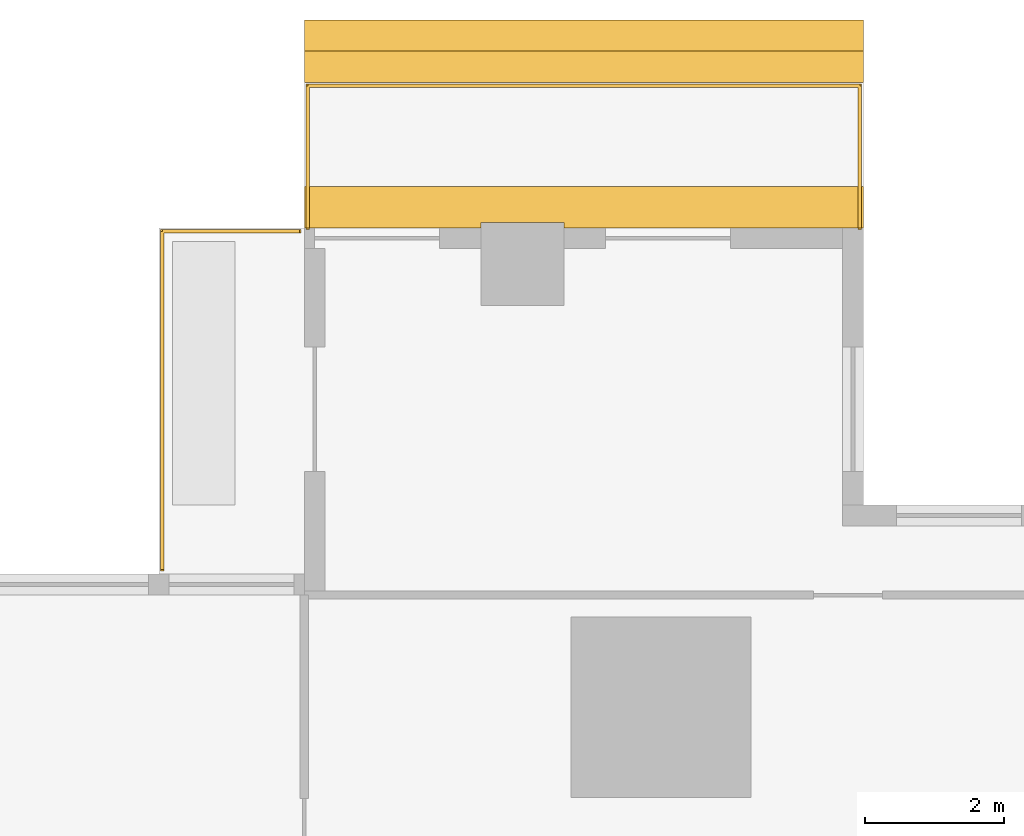
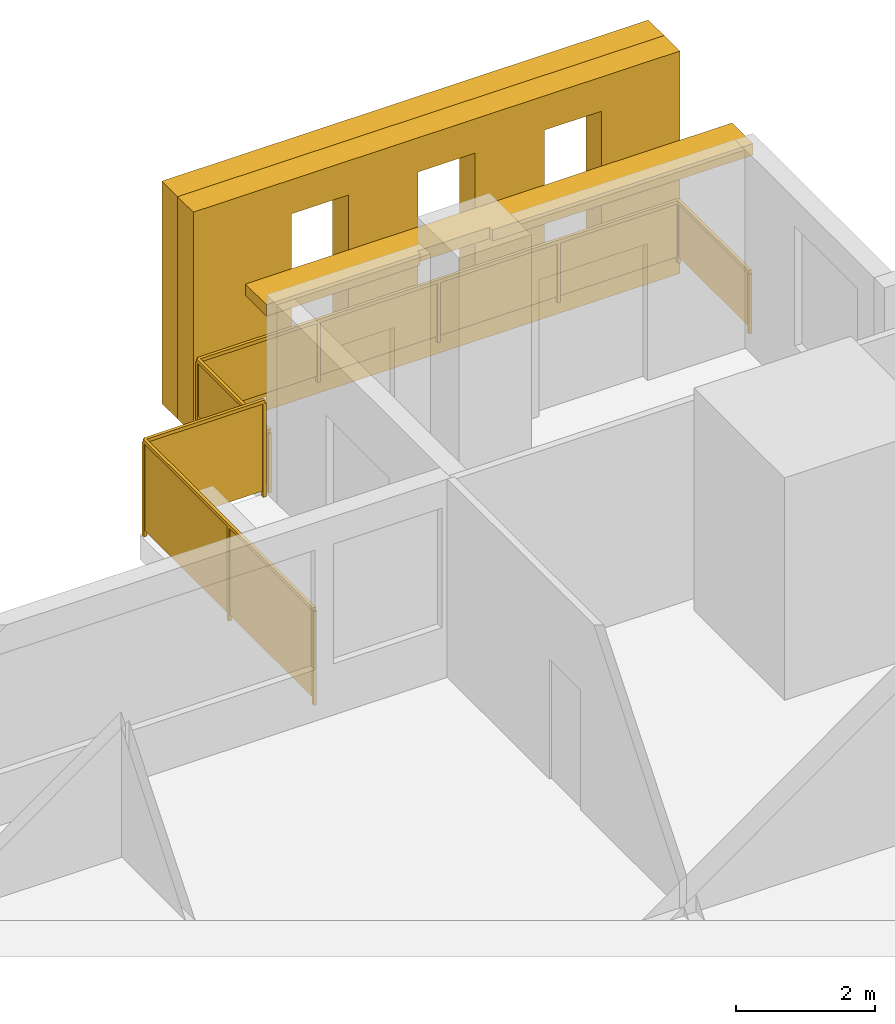
# One storey, part 16 of 16: 3 shading devices, 2 railings.
"""IFC4 building model written with IfcOpenShell, lengths in metres."""

from ifc_helpers import new_model, si_unit, direction, frame, origin, origin_2d, place, context, subcontext, project, spatial, polyline, rectangle, outline, extrude, material, layer, layer_set, type_object, element, save


model = new_model("IFC4")

# Units and contexts
model_context = context("Model", 3, precision=1e-05, world=origin(), true_north=direction((0.0, 1.0)))
body_context = subcontext(model_context, "Body", "Model", "MODEL_VIEW")
ifc_project = project(units=[si_unit("LENGTHUNIT", "METRE"), si_unit("AREAUNIT", "SQUARE_METRE"), si_unit("VOLUMEUNIT", "CUBIC_METRE"), si_unit("PLANEANGLEUNIT", "RADIAN"), si_unit("MASSUNIT", "GRAM", prefix="KILO")], contexts=[model_context])

# Site, building, storey
site_placement = place(None, origin())
site = spatial("IfcSite", under=ifc_project, at=site_placement, CompositionType="ELEMENT")
building_placement = place(site_placement, origin())
building = spatial("IfcBuilding", under=site, at=building_placement, Name="Khepri Terraces", CompositionType="ELEMENT")
storey_placement = place(building_placement, frame((0.0, 0.0, 172.800048828125)))
storey = spatial("IfcBuildingStorey", under=building, at=storey_placement, Name="L41", CompositionType="ELEMENT", Elevation=172.800048828125)

# Railings
ifc_material_1 = material(Name="Stainless steel grade 316", Category="steel")
railing_type_1 = type_object("IfcRailingType", Name="GRD-BAL-1100", PredefinedType="GUARDRAIL", material=ifc_material_1)
railing_1_placement = place(storey_placement, frame((21.669921875, 25.719970703125, 0.0)))
element("IfcRailing", 1, at=railing_1_placement, inside=storey, type_object=railing_type_1, Name="Balcony guard L41 N", PredefinedType="GUARDRAIL", context=body_context, shape_type="SweptSolid", body=[
    extrude(rectangle(XDim=0.050048828125, YDim=0.06005859375, at=origin_2d()), frame((0.0, 0.0, 1.070068359375), z_axis=(0.0, 1.0, 0.0), x_axis=(-1.0, 0.0, 0.0)), (0.0, 0.0, 1.0), 2.050048828125),
    extrude(rectangle(XDim=2.0, YDim=0.011962890625, at=origin_2d()), frame((0.0, 1.02490234375, 0.10009765625), z_axis=(0.0, 0.0, 1.0), x_axis=(0.0, 1.0, 0.0)), (0.0, 0.0, 1.0), 0.93994140625),
    extrude(rectangle(XDim=0.050048828125, YDim=0.06005859375, at=origin_2d()), frame((0.0, 2.050048828125, 1.070068359375), z_axis=(-1.0, 0.0, 0.0), x_axis=(0.0, -1.0, 0.0)), (0.0, 0.0, 1.0), 7.969970703125),
    extrude(rectangle(XDim=1.9423828125, YDim=0.011962890625, at=origin_2d()), frame((-0.996337890625, 2.050048828125, 0.10009765625), z_axis=(0.0, 0.0, 1.0), x_axis=(-1.0, 0.0, 0.0)), (0.0, 0.0, 1.0), 0.93994140625),
    extrude(rectangle(XDim=1.9423828125, YDim=0.011962890625, at=origin_2d()), frame((-2.98876953125, 2.050048828125, 0.10009765625), z_axis=(0.0, 0.0, 1.0), x_axis=(-1.0, 0.0, 0.0)), (0.0, 0.0, 1.0), 0.93994140625),
    extrude(rectangle(XDim=1.9423828125, YDim=0.011962890625, at=origin_2d()), frame((-4.981201171875, 2.050048828125, 0.10009765625), z_axis=(0.0, 0.0, 1.0), x_axis=(-1.0, 0.0, 0.0)), (0.0, 0.0, 1.0), 0.93994140625),
    extrude(rectangle(XDim=1.9423828125, YDim=0.011962890625, at=origin_2d()), frame((-6.9736328125, 2.050048828125, 0.10009765625), z_axis=(0.0, 0.0, 1.0), x_axis=(-1.0, 0.0, 0.0)), (0.0, 0.0, 1.0), 0.93994140625),
    extrude(rectangle(XDim=0.050048828125, YDim=0.06005859375, at=origin_2d()), frame((-7.969970703125, 2.050048828125, 1.070068359375), z_axis=(0.0, -1.0, 0.0), x_axis=(1.0, 0.0, 0.0)), (0.0, 0.0, 1.0), 2.050048828125),
    extrude(rectangle(XDim=2.0, YDim=0.011962890625, at=origin_2d()), frame((-7.969970703125, 1.02490234375, 0.10009765625), z_axis=(0.0, 0.0, 1.0), x_axis=(0.0, -1.0, 0.0)), (0.0, 0.0, 1.0), 0.93994140625),
    extrude(rectangle(XDim=0.050048828125, YDim=0.050048828125, at=origin_2d()), origin(), (0.0, 0.0, 1.0), 1.0400390625),
    extrude(rectangle(XDim=0.050048828125, YDim=0.050048828125, at=origin_2d()), frame((0.0, 2.050048828125, 0.0)), (0.0, 0.0, 1.0), 1.0400390625),
    extrude(rectangle(XDim=0.050048828125, YDim=0.050048828125, at=origin_2d()), frame((-1.992431640625, 2.050048828125, 0.0)), (0.0, 0.0, 1.0), 1.0400390625),
    extrude(rectangle(XDim=0.050048828125, YDim=0.050048828125, at=origin_2d()), frame((-3.98486328125, 2.050048828125, 0.0)), (0.0, 0.0, 1.0), 1.0400390625),
    extrude(rectangle(XDim=0.050048828125, YDim=0.050048828125, at=origin_2d()), frame((-5.9775390625, 2.050048828125, 0.0)), (0.0, 0.0, 1.0), 1.0400390625),
    extrude(rectangle(XDim=0.050048828125, YDim=0.050048828125, at=origin_2d()), frame((-7.969970703125, 2.050048828125, 0.0)), (0.0, 0.0, 1.0), 1.0400390625),
    extrude(rectangle(XDim=0.050048828125, YDim=0.050048828125, at=origin_2d()), frame((-7.969970703125, 0.0, 0.0)), (0.0, 0.0, 1.0), 1.0400390625),
])
railing_type_2 = type_object("IfcRailingType", Name="GRD-TERR-1700", PredefinedType="GUARDRAIL", material=ifc_material_1)
railing_2_placement = place(storey_placement, frame((11.60009765625, 20.7900390625, 0.0)))
element("IfcRailing", 2, at=railing_2_placement, inside=storey, type_object=railing_type_2, Name="Terrace guard L41", PredefinedType="GUARDRAIL", context=body_context, shape_type="SweptSolid", body=[
    extrude(rectangle(XDim=0.050048828125, YDim=0.06005859375, at=origin_2d()), frame((0.0, 0.0, 1.669921875), z_axis=(0.0, 1.0, 0.0), x_axis=(-1.0, 0.0, 0.0)), (0.0, 0.0, 1.0), 4.8798828125),
    extrude(rectangle(XDim=2.389892578125, YDim=0.011962890625, at=origin_2d()), frame((0.0, 1.219970703125, 0.10009765625), z_axis=(0.0, 0.0, 1.0), x_axis=(0.0, 1.0, 0.0)), (0.0, 0.0, 1.0), 1.539794921875),
    extrude(rectangle(XDim=2.389892578125, YDim=0.011962890625, at=origin_2d()), frame((0.0, 3.659912109375, 0.10009765625), z_axis=(0.0, 0.0, 1.0), x_axis=(0.0, 1.0, 0.0)), (0.0, 0.0, 1.0), 1.539794921875),
    extrude(rectangle(XDim=0.050048828125, YDim=0.06005859375, at=origin_2d()), frame((0.0, 4.8798828125, 1.669921875), z_axis=(1.0, 0.0, 0.0), x_axis=(0.0, 1.0, 0.0)), (0.0, 0.0, 1.0), 1.97998046875),
    extrude(rectangle(XDim=1.929931640625, YDim=0.011962890625, at=origin_2d()), frame((0.989990234375, 4.8798828125, 0.10009765625), z_axis=(0.0, 0.0, 1.0), x_axis=(1.0, 0.0, 0.0)), (0.0, 0.0, 1.0), 1.539794921875),
    extrude(rectangle(XDim=0.050048828125, YDim=0.050048828125, at=origin_2d()), origin(), (0.0, 0.0, 1.0), 1.639892578125),
    extrude(rectangle(XDim=0.050048828125, YDim=0.050048828125, at=origin_2d()), frame((0.0, 2.43994140625, 0.0)), (0.0, 0.0, 1.0), 1.639892578125),
    extrude(rectangle(XDim=0.050048828125, YDim=0.050048828125, at=origin_2d()), frame((0.0, 4.8798828125, 0.0)), (0.0, 0.0, 1.0), 1.639892578125),
    extrude(rectangle(XDim=0.050048828125, YDim=0.050048828125, at=origin_2d()), frame((1.97998046875, 4.8798828125, 0.0)), (0.0, 0.0, 1.0), 1.639892578125),
])

# Shading devices
ifc_material_2 = material(Name="Precast concrete C50/60 warm stone", Category="masonry")
shading_device_type_1 = type_object("IfcShadingDeviceType", Name="SCR-CELL-INNER-450", PredefinedType="USERDEFINED", material=ifc_material_2)
shading_device_1_placement = place(storey_placement, frame((21.719970703125, 27.820068359375, -0.25), z_axis=(0.0, 1.0, 0.0), x_axis=(-1.0, 0.0, 0.0)))
element("IfcShadingDevice", 3, at=shading_device_1_placement, inside=storey, type_object=shading_device_type_1, Name="Cell screen L41 N in", ObjectType="SCREEN", PredefinedType="USERDEFINED", context=body_context, shape_type="SweptSolid", body=[
    extrude(outline(polyline([(0.0, 0.0), (8.070068359375, 0.0), (8.070068359375, 3.89990234375), (0.0, 3.89990234375), (0.0, 0.0)]), holes=[polyline([(1.297607421875, 0.699951171875), (2.242431640625, 0.699951171875), (2.242431640625, 3.300048828125), (1.297607421875, 3.300048828125), (1.297607421875, 0.699951171875)]), polyline([(3.3974609375, 0.699951171875), (4.342529296875, 0.699951171875), (4.342529296875, 3.300048828125), (3.3974609375, 3.300048828125), (3.3974609375, 0.699951171875)]), polyline([(5.49755859375, 0.699951171875), (6.4423828125, 0.699951171875), (6.4423828125, 3.300048828125), (5.49755859375, 3.300048828125), (5.49755859375, 0.699951171875)])]), origin(), (0.0, 0.0, 1.0), 0.449951171875),
])
shading_device_type_2 = type_object("IfcShadingDeviceType", Name="SCR-CELL-OUTER-450", PredefinedType="USERDEFINED", material=ifc_material_2)
shading_device_2_placement = place(storey_placement, frame((21.719970703125, 28.27001953125, -0.25), z_axis=(0.0, 1.0, 0.0), x_axis=(-1.0, 0.0, 0.0)))
element("IfcShadingDevice", 4, at=shading_device_2_placement, inside=storey, type_object=shading_device_type_2, Name="Cell screen L41 N out", ObjectType="SCREEN", PredefinedType="USERDEFINED", context=body_context, shape_type="SweptSolid", body=[
    extrude(outline(polyline([(0.0, 0.0), (8.070068359375, 0.0), (8.070068359375, 3.89990234375), (0.0, 3.89990234375), (0.0, 0.0)]), holes=[polyline([(0.947509765625, 0.449951171875), (2.592529296875, 0.449951171875), (2.592529296875, 3.550048828125), (0.947509765625, 3.550048828125), (0.947509765625, 0.449951171875)]), polyline([(3.047607421875, 0.449951171875), (4.6923828125, 0.449951171875), (4.6923828125, 3.550048828125), (3.047607421875, 3.550048828125), (3.047607421875, 0.449951171875)]), polyline([(5.1474609375, 0.449951171875), (6.79248046875, 0.449951171875), (6.79248046875, 3.550048828125), (5.1474609375, 3.550048828125), (5.1474609375, 0.449951171875)])]), origin(), (0.0, 0.0, 1.0), 0.449951171875),
])
ifc_layer = layer(ifc_material_2, 0.199951171875, Name="Precast concrete C50/60 warm stone", Category="masonry")
ifc_layer_set = layer_set([ifc_layer], Name="Precast concrete C50/60 warm stone")
shading_device_type_3 = type_object("IfcShadingDeviceType", Name="SSH-BAND-STONE-200-N", PredefinedType="USERDEFINED", material=ifc_layer_set)
shading_device_3_placement = place(storey_placement, frame((0.0, 0.0, 3.099853515625)))
element("IfcShadingDevice", 5, at=shading_device_3_placement, inside=storey, type_object=shading_device_type_3, Name="Sunshade band L41 N", ObjectType="SUNSHADE", PredefinedType="USERDEFINED", context=body_context, shape_type="SweptSolid", body=[
    extrude(outline(polyline([(17.39990234375, 25.719970703125), (21.719970703125, 25.719970703125), (21.719970703125, 26.320068359375), (13.64990234375, 26.320068359375), (13.64990234375, 25.719970703125), (16.199951171875, 25.719970703125), (16.199951171875, 25.800048828125), (17.39990234375, 25.800048828125), (17.39990234375, 25.719970703125)])), origin(), (0.0, 0.0, 1.0), 0.2001953125),
])

save(model, "model.ifc")
